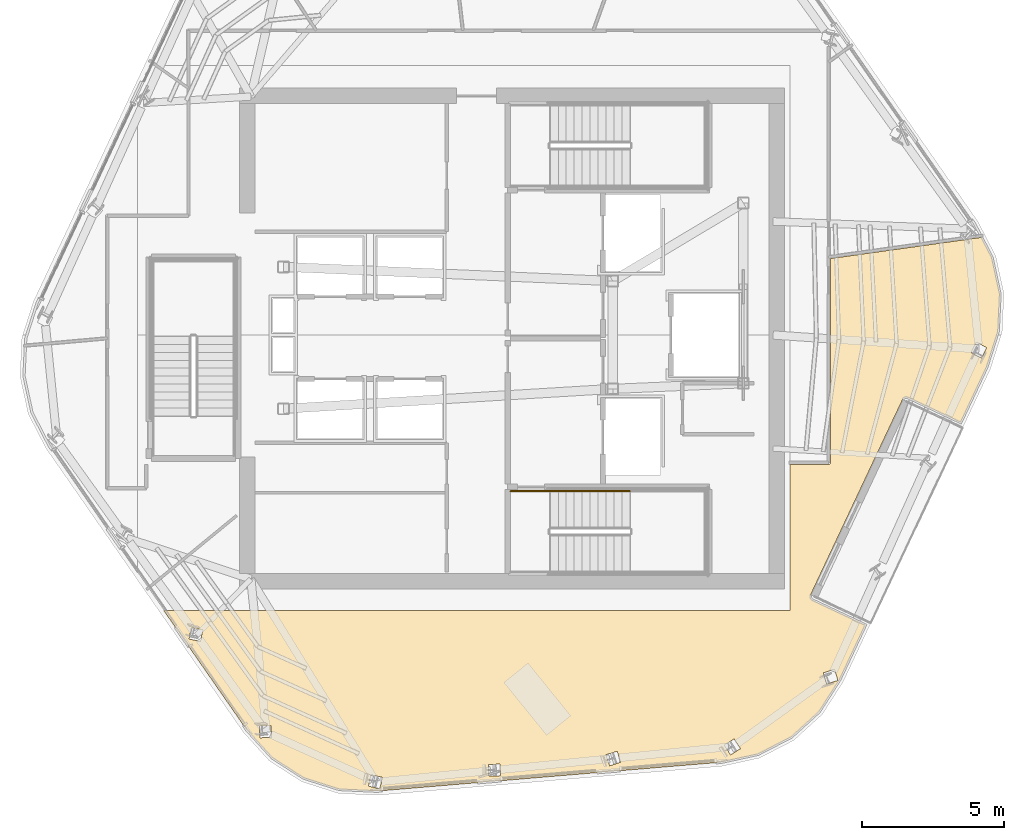
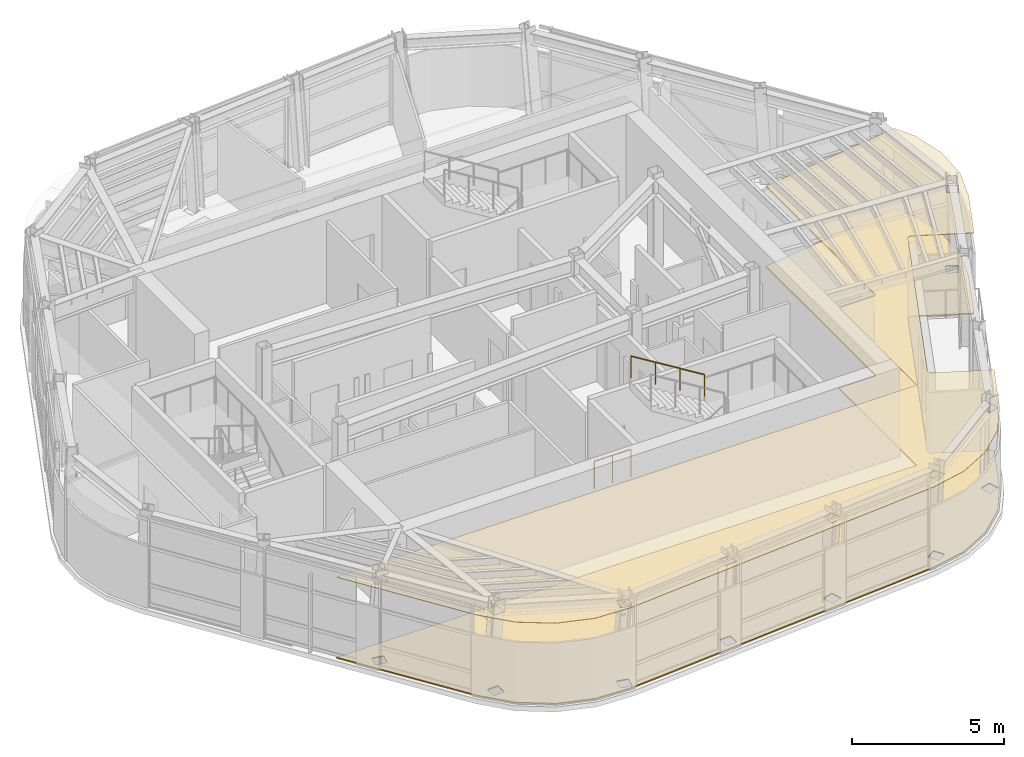
# One storey, part 10 of 14: 2 coverings, 2 railings.
"""IFC4 building model written with IfcOpenShell, lengths in metres."""

from ifc_helpers import new_model, si_unit, direction, frame, origin, origin_2d, place, context, subcontext, project, spatial, polyline, circle, outline, extrude, material, layer, layer_set, type_object, element, save


model = new_model("IFC4")

# Units and contexts
model_context = context("Model", 3, precision=1e-05, world=origin(), true_north=direction((0.0, 1.0)))
body_context = subcontext(model_context, "Body", "Model", "MODEL_VIEW")
ifc_project = project(units=[si_unit("LENGTHUNIT", "METRE"), si_unit("AREAUNIT", "SQUARE_METRE"), si_unit("VOLUMEUNIT", "CUBIC_METRE"), si_unit("PLANEANGLEUNIT", "RADIAN"), si_unit("MASSUNIT", "GRAM", prefix="KILO")], contexts=[model_context])

# Site, building, storey
site_placement = place(None, origin())
site = spatial("IfcSite", under=ifc_project, at=site_placement, CompositionType="ELEMENT")
building_placement = place(site_placement, origin())
building = spatial("IfcBuilding", under=site, at=building_placement, Name="Valkerne Bourse Tower", CompositionType="ELEMENT")
storey_placement = place(building_placement, frame((0.0, 0.0, 304.0)))
storey = spatial("IfcBuildingStorey", under=building, at=storey_placement, Name="L77", CompositionType="ELEMENT", Elevation=304.0)

# Coverings
ifc_material_1 = material(Name="Mineral Fiber Acoustic Ceiling Tile", Category="acoustic")
ifc_layer_1 = layer(ifc_material_1, 0.02490234375)
ifc_layer_set_1 = layer_set([ifc_layer_1], Name="Mineral Fiber Acoustic Ceiling Tile")
covering_type_1 = type_object("IfcCoveringType", Name="COV-CEIL-ACT", PredefinedType="CEILING", material=ifc_layer_set_1)
covering_1_placement = place(storey_placement, frame((0.0, 0.0, 3.25)))
element("IfcCovering", 1, at=covering_1_placement, inside=storey, type_object=covering_type_1, Name="L77 Suspended Ceiling 10", PredefinedType="CEILING", context=body_context, shape_type="SweptSolid", body=[
    extrude(outline(polyline([(54.173828125, 11.946533203125), (42.039794921875, 10.927734375), (40.712158203125, 10.990234375), (39.455078125, 11.391357421875), (38.3447265625, 12.104248046875), (37.4501953125, 13.08740234375), (34.5224609375, 17.300048828125), (56.60009765625, 17.300048828125), (56.60009765625, 22.430908203125), (57.95361328125, 22.43115234375), (57.99609375, 22.448486328125), (58.018310546875, 22.489990234375), (58.01904296875, 29.693115234375), (63.3447265625, 30.43798828125), (63.708740234375, 29.732666015625), (63.98974609375, 28.443359375), (63.927734375, 27.12548828125), (63.523681640625, 25.859130859375), (62.610595703125, 23.9189453125), (60.737060546875, 24.7998046875), (60.681640625, 24.80810546875), (60.639892578125, 24.799560546875), (60.592041015625, 24.770751953125), (60.565185546875, 24.738037109375), (57.322509765625, 17.848388671875), (57.310546875, 17.808349609375), (57.310546875, 17.76611328125), (57.322998046875, 17.7255859375), (57.346435546875, 17.6904296875), (57.391357421875, 17.6572265625), (59.251953125, 16.78173828125), (58.339111328125, 14.841552734375), (57.62109375, 13.722900390625), (56.64501953125, 12.8349609375), (55.472412109375, 12.229736328125), (54.173828125, 11.946533203125)]), holes=[polyline([(42.229736328125, 11.415771484375), (41.83349609375, 11.50390625), (41.74462890625, 11.104248046875), (41.746826171875, 11.103515625), (42.14306640625, 11.015625), (42.23193359375, 11.4150390625), (42.229736328125, 11.415771484375)]), polyline([(46.37646484375, 11.880859375), (46.374267578125, 11.881103515625), (45.968505859375, 11.865478515625), (45.98388671875, 11.45654296875), (45.986083984375, 11.45654296875), (46.391845703125, 11.471923828125), (46.37646484375, 11.880859375)]), polyline([(38.3095703125, 13.2314453125), (38.3076171875, 13.23291015625), (37.8994140625, 13.21337890625), (37.917724609375, 12.807373046875), (37.919677734375, 12.80615234375), (38.327880859375, 12.825439453125), (38.3095703125, 13.2314453125)]), polyline([(35.905029296875, 16.602294921875), (35.505126953125, 16.687255859375), (35.419921875, 16.289794921875), (35.42138671875, 16.2880859375), (35.8212890625, 16.203125), (35.906494140625, 16.6005859375), (35.905029296875, 16.602294921875)]), polyline([(50.62939453125, 11.946044921875), (50.50341796875, 12.33544921875), (50.501220703125, 12.3349609375), (50.114990234375, 12.209716796875), (50.2412109375, 11.8203125), (50.243408203125, 11.82080078125), (50.62939453125, 11.946044921875)]), polyline([(54.8466796875, 12.424560546875), (54.6259765625, 12.769287109375), (54.623779296875, 12.768310546875), (54.281982421875, 12.54931640625), (54.502685546875, 12.20458984375), (54.5048828125, 12.205810546875), (54.8466796875, 12.424560546875)]), polyline([(58.28271484375, 14.8310546875), (58.16015625, 15.21875), (57.7705078125, 15.09619140625), (57.7685546875, 15.094482421875), (57.89111328125, 14.706787109375), (58.281005859375, 14.829345703125), (58.28271484375, 14.8310546875)]), polyline([(63.525390625, 26.554443359375), (63.525390625, 26.556884765625), (63.164306640625, 26.743408203125), (62.97607421875, 26.380859375), (62.97607421875, 26.37841796875), (63.337158203125, 26.19189453125), (63.525390625, 26.554443359375)])]), origin(), (0.0, 0.0, 1.0), 0.02490234375),
])
ifc_material_2 = material(Name="Galvanised Painted Steel", Category="steel")
ifc_layer_2 = layer(ifc_material_2, 0.044921875)
ifc_layer_set_2 = layer_set([ifc_layer_2], Name="Galvanised Painted Steel")
covering_type_2 = type_object("IfcCoveringType", Name="COV-FLR-RAF", PredefinedType="FLOORING", material=ifc_layer_set_2)
covering_2_placement = place(storey_placement, origin())
element("IfcCovering", 2, at=covering_2_placement, inside=storey, type_object=covering_type_2, Name="L77 Floor Finish 10", PredefinedType="FLOORING", context=body_context, shape_type="SweptSolid", body=[
    extrude(outline(polyline([(54.173828125, 11.946533203125), (42.039794921875, 10.927734375), (40.712158203125, 10.990234375), (39.455078125, 11.391357421875), (38.3447265625, 12.104248046875), (37.4501953125, 13.08740234375), (34.5224609375, 17.300048828125), (56.60009765625, 17.300048828125), (56.60009765625, 22.430908203125), (57.95361328125, 22.43115234375), (57.99609375, 22.448486328125), (58.018310546875, 22.489990234375), (58.01904296875, 29.693115234375), (63.3447265625, 30.43798828125), (63.708740234375, 29.732666015625), (63.98974609375, 28.443359375), (63.927734375, 27.12548828125), (63.523681640625, 25.859130859375), (62.610595703125, 23.9189453125), (60.737060546875, 24.7998046875), (60.681640625, 24.80810546875), (60.639892578125, 24.799560546875), (60.592041015625, 24.770751953125), (60.565185546875, 24.738037109375), (57.322509765625, 17.848388671875), (57.310546875, 17.808349609375), (57.310546875, 17.76611328125), (57.322998046875, 17.7255859375), (57.346435546875, 17.6904296875), (57.391357421875, 17.6572265625), (59.251953125, 16.78173828125), (58.339111328125, 14.841552734375), (57.62109375, 13.722900390625), (56.64501953125, 12.8349609375), (55.472412109375, 12.229736328125), (54.173828125, 11.946533203125)]), holes=[polyline([(42.229736328125, 11.415771484375), (41.83349609375, 11.50390625), (41.74462890625, 11.104248046875), (41.746826171875, 11.103515625), (42.14306640625, 11.015625), (42.23193359375, 11.4150390625), (42.229736328125, 11.415771484375)]), polyline([(46.37646484375, 11.880859375), (46.374267578125, 11.881103515625), (45.968505859375, 11.865478515625), (45.98388671875, 11.45654296875), (45.986083984375, 11.45654296875), (46.391845703125, 11.471923828125), (46.37646484375, 11.880859375)]), polyline([(38.3095703125, 13.2314453125), (38.3076171875, 13.23291015625), (37.8994140625, 13.21337890625), (37.917724609375, 12.807373046875), (37.919677734375, 12.80615234375), (38.327880859375, 12.825439453125), (38.3095703125, 13.2314453125)]), polyline([(35.905029296875, 16.602294921875), (35.505126953125, 16.687255859375), (35.419921875, 16.289794921875), (35.42138671875, 16.2880859375), (35.8212890625, 16.203125), (35.906494140625, 16.6005859375), (35.905029296875, 16.602294921875)]), polyline([(50.62939453125, 11.946044921875), (50.50341796875, 12.33544921875), (50.501220703125, 12.3349609375), (50.114990234375, 12.209716796875), (50.2412109375, 11.8203125), (50.243408203125, 11.82080078125), (50.62939453125, 11.946044921875)]), polyline([(54.8466796875, 12.424560546875), (54.6259765625, 12.769287109375), (54.623779296875, 12.768310546875), (54.281982421875, 12.54931640625), (54.502685546875, 12.20458984375), (54.5048828125, 12.205810546875), (54.8466796875, 12.424560546875)]), polyline([(58.28271484375, 14.8310546875), (58.16015625, 15.21875), (57.7705078125, 15.09619140625), (57.7685546875, 15.094482421875), (57.89111328125, 14.706787109375), (58.281005859375, 14.829345703125), (58.28271484375, 14.8310546875)]), polyline([(63.525390625, 26.554443359375), (63.525390625, 26.556884765625), (63.164306640625, 26.743408203125), (62.97607421875, 26.380859375), (62.97607421875, 26.37841796875), (63.337158203125, 26.19189453125), (63.525390625, 26.554443359375)])]), origin(), (0.0, 0.0, 1.0), 0.044921875),
])

# Railings
railing_type_1 = type_object("IfcRailingType", Name="RLG-ST-GUARD-1120", PredefinedType="GUARDRAIL", material=ifc_material_2)
railing_1_placement = place(storey_placement, frame((46.75, 21.5, 0.0)))
element("IfcRailing", 3, at=railing_1_placement, inside=storey, type_object=railing_type_1, Name="L77 ST-1 stair guard 9", PredefinedType="GUARDRAIL", context=body_context, shape_type="SweptSolid", body=[
    extrude(circle(Radius=0.02392578125, at=origin_2d()), frame((0.0, 0.0, 1.09619140625), z_axis=(1.0, 0.0, 0.0), x_axis=(0.0, 1.0, 0.0)), (0.0, 0.0, 1.0), 1.39990234375),
    extrude(circle(Radius=0.02099609375, at=origin_2d()), origin(), (0.0, 0.0, 1.0), 1.072021484375),
    extrude(circle(Radius=0.02099609375, at=origin_2d()), frame((0.699951171875, 0.0, 0.0)), (0.0, 0.0, 1.0), 1.072021484375),
    extrude(circle(Radius=0.02099609375, at=origin_2d()), frame((1.39990234375, 0.0, 0.0)), (0.0, 0.0, 1.0), 1.072021484375),
])
ifc_material_3 = material(Name="Stainless Steel AISI 316", Category="steel")
railing_type_2 = type_object("IfcRailingType", Name="RLG-ST-HANDRAIL-900", PredefinedType="HANDRAIL", material=ifc_material_3)
railing_2_placement = place(storey_placement, frame((50.949951171875, 21.5, 2.245361328125)))
element("IfcRailing", 4, at=railing_2_placement, inside=storey, type_object=railing_type_2, Name="L77 ST-1 stair handrail 2", PredefinedType="HANDRAIL", context=body_context, shape_type="SweptSolid", body=[
    extrude(circle(Radius=0.02392578125, at=origin_2d()), frame((0.0, 0.0, 0.8759765625), z_axis=(-0.851089632645, 0.0, 0.525020415988), x_axis=(0.0, -1.0, 0.0)), (0.0, 0.0, 1.0), 3.2900390625),
    extrude(circle(Radius=0.02099609375, at=origin_2d()), origin(), (0.0, 0.0, 1.0), 0.851806640625),
    extrude(circle(Radius=0.02099609375, at=origin_2d()), frame((-0.933349609375, 0.0, 0.57568359375)), (0.0, 0.0, 1.0), 0.851806640625),
    extrude(circle(Radius=0.02099609375, at=origin_2d()), frame((-1.86669921875, 0.0, 1.151611328125)), (0.0, 0.0, 1.0), 0.851806640625),
    extrude(circle(Radius=0.02099609375, at=origin_2d()), frame((-2.800048828125, 0.0, 1.727294921875)), (0.0, 0.0, 1.0), 0.851806640625),
])

save(model, "model.ifc")
